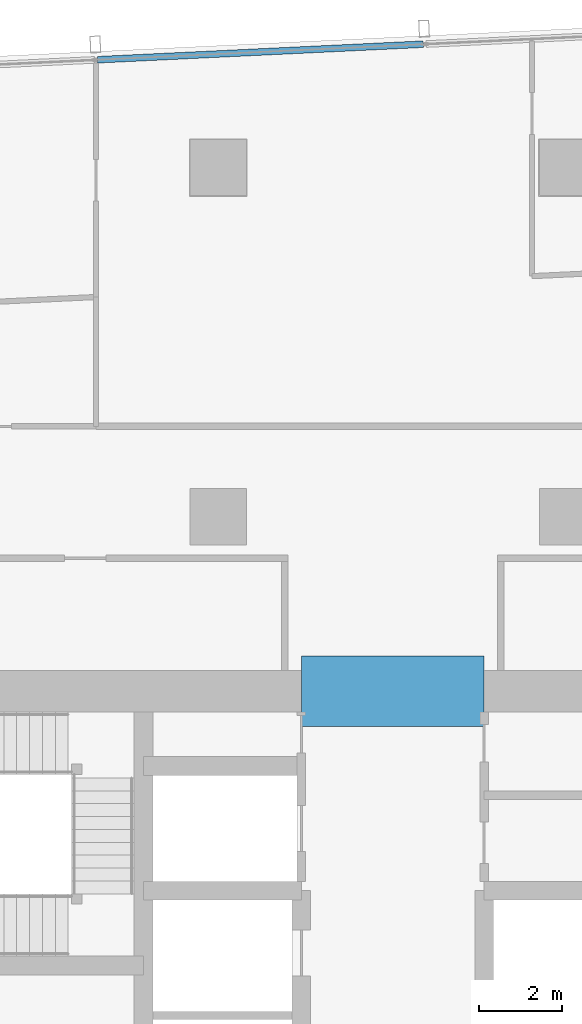
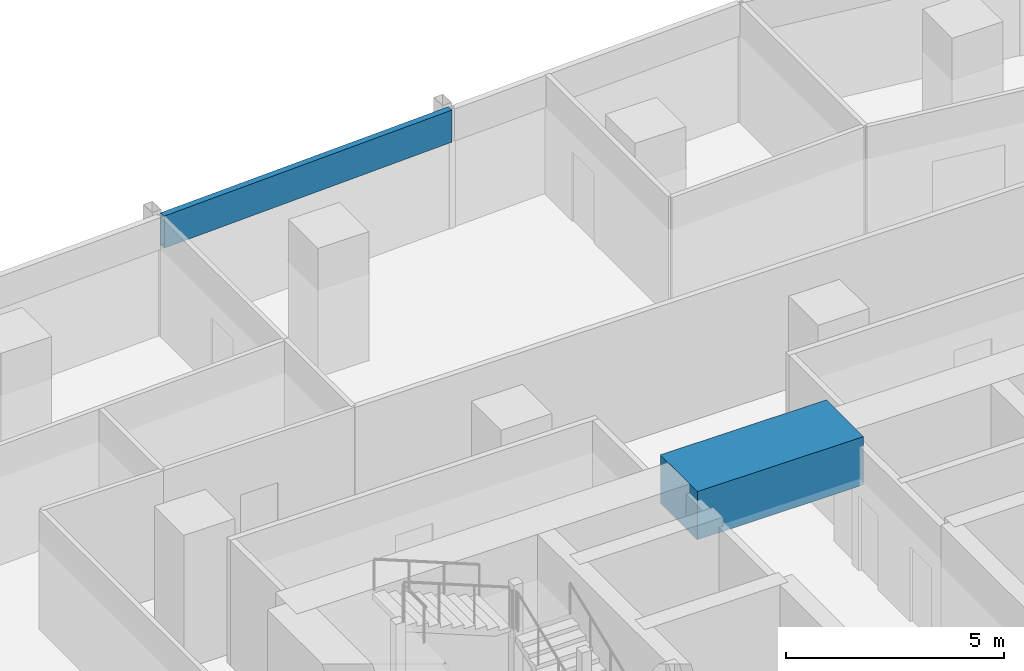
# One storey, part 20 of 40: 1 beam, 1 member, 1 element without a shape of its own.
"""IFC4 building model written with IfcOpenShell, lengths in metres."""

from ifc_helpers import new_model, si_unit, direction, frame, origin, origin_2d, place, context, subcontext, project, spatial, rectangle, hollow_rectangle, extrude, material, material_profile, profile_set, type_object, element, aggregate, save


model = new_model("IFC4")

# Units and contexts
model_context = context("Model", 3, precision=1e-05, world=origin(), true_north=direction((0.0, 1.0)))
body_context = subcontext(model_context, "Body", "Model", "MODEL_VIEW")
ifc_project = project(units=[si_unit("LENGTHUNIT", "METRE"), si_unit("AREAUNIT", "SQUARE_METRE"), si_unit("VOLUMEUNIT", "CUBIC_METRE"), si_unit("PLANEANGLEUNIT", "RADIAN"), si_unit("MASSUNIT", "GRAM", prefix="KILO")], contexts=[model_context])

# Site, building, storey
site_placement = place(None, origin())
site = spatial("IfcSite", under=ifc_project, at=site_placement, CompositionType="ELEMENT")
building_placement = place(site_placement, origin())
building = spatial("IfcBuilding", under=site, at=building_placement, Name="Rekha Terrace Tower", CompositionType="ELEMENT")
storey_placement = place(building_placement, frame((0.0, 0.0, 213.949951171875)))
storey = spatial("IfcBuildingStorey", under=building, at=storey_placement, Name="L54", CompositionType="ELEMENT", Elevation=213.949951171875)

# Curtain wall, member
ifc_material_1 = material(Name="Aluminium framing", Category="aluminium")
curtain_wall_type = type_object("IfcCurtainWallType", Name="CW3 north unitised glazing", PredefinedType="USERDEFINED", material=ifc_material_1)
curtain_wall_placement = place(storey_placement, origin())
curtain_wall = element("IfcCurtainWall", 1, at=curtain_wall_placement, inside=storey, type_object=curtain_wall_type, Name="CW3 unitised curtain wall", ObjectType="UNITISED CURTAIN WALL", PredefinedType="USERDEFINED")
ifc_material_2 = material(Name="Insulated aluminium spandrel box", Category="aluminium")
ifc_material_profile_1 = material_profile(ifc_material_2, hollow_rectangle(XDim=0.159912109375, YDim=0.89990234375, WallThickness=0.0029296875, at=origin_2d()), Name="AL SPANDREL BOX 160x900")
ifc_profile_set_1 = profile_set([ifc_material_profile_1], Name="Insulated aluminium spandrel box")
member_type = type_object("IfcMemberType", Name="CW3 spandrel transom 160 x 900", PredefinedType="USERDEFINED", material=ifc_profile_set_1)
member_placement = place(storey_placement, frame((38.53515625, 61.76953125, 3.050048828125), z_axis=(-0.998859252362, -0.047751376635, 0.0), x_axis=(0.047751376635, -0.998859252362, 0.0)))
member = element("IfcMember", 2, at=member_placement, type_object=member_type, Name="CW3 spandrel transom 2", ObjectType="TRANSOM", PredefinedType="USERDEFINED", context=body_context, shape_type="SweptSolid", body=[
    extrude(hollow_rectangle(XDim=0.159912109375, YDim=0.89990234375, WallThickness=0.0029296875, at=origin_2d()), origin(), (0.0, 0.0, 1.0), 7.84814453125),
])
aggregate(curtain_wall, [member])

# Beam
ifc_material_3 = material(Name="Concrete M60", Category="concrete")
ifc_material_profile_2 = material_profile(ifc_material_3, rectangle(XDim=1.699951171875, YDim=1.35009765625, at=origin_2d()), Name="RC 1700x1350")
ifc_profile_set_2 = profile_set([ifc_material_profile_2], Name="Concrete M60")
beam_type = type_object("IfcBeamType", Name="LB3A 1700x1350 diagonally reinforced coupling beam", PredefinedType="LINTEL", material=ifc_profile_set_2)
beam_placement = place(storey_placement, frame((35.60009765625, 46.199951171875, 3.074951171875), z_axis=(1.0, 0.0, 0.0), x_axis=(0.0, 1.0, 0.0)))
element("IfcBeam", 3, at=beam_placement, inside=storey, type_object=beam_type, Name="Coupling beam LB3A N L54", PredefinedType="LINTEL", context=body_context, shape_type="SweptSolid", body=[
    extrude(rectangle(XDim=1.699951171875, YDim=1.35009765625, at=origin_2d()), origin(), (0.0, 0.0, 1.0), 4.39990234375),
])

save(model, "model.ifc")
